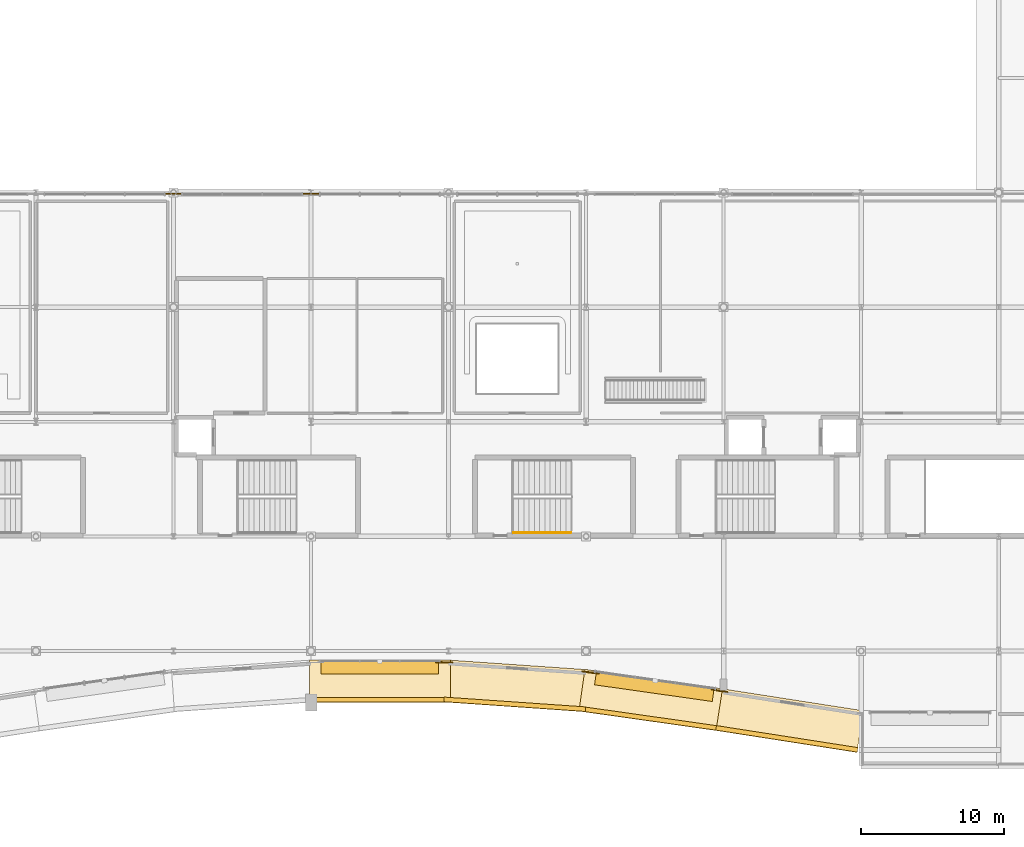
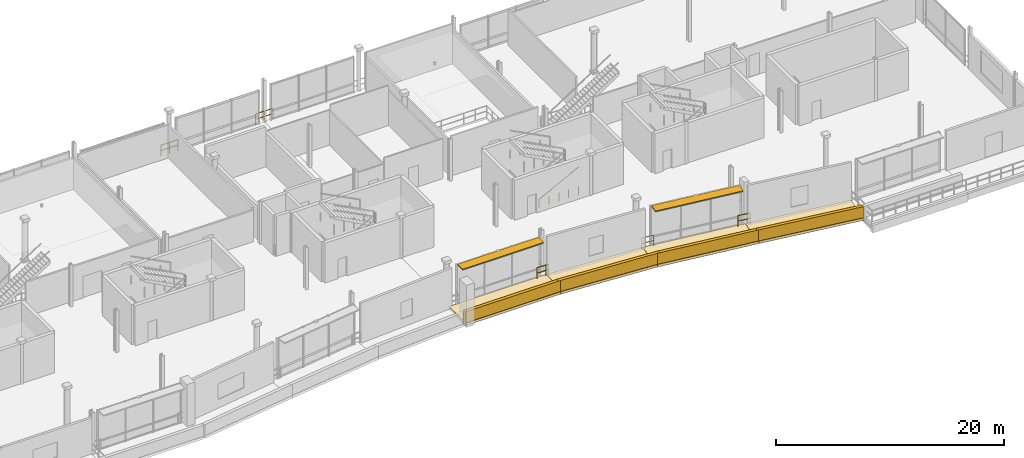
# One storey, part 51 of 59: 8 coverings, 6 railings, 2 shading devices.
"""IFC4 building model written with IfcOpenShell, lengths in metres."""

from ifc_helpers import new_model, si_unit, direction, frame, origin, origin_2d, place, context, subcontext, project, spatial, rectangle, circle, extrude, material, layer, layer_set, type_object, element, save


model = new_model("IFC4")

# Units and contexts
model_context = context("Model", 3, precision=1e-05, world=origin(), true_north=direction((0.0, 1.0)))
body_context = subcontext(model_context, "Body", "Model", "MODEL_VIEW")
ifc_project = project(units=[si_unit("LENGTHUNIT", "METRE"), si_unit("AREAUNIT", "SQUARE_METRE"), si_unit("VOLUMEUNIT", "CUBIC_METRE"), si_unit("PLANEANGLEUNIT", "RADIAN"), si_unit("MASSUNIT", "GRAM", prefix="KILO")], contexts=[model_context])

# Site, building, storey
site_placement = place(None, origin())
site = spatial("IfcSite", under=ifc_project, at=site_placement, CompositionType="ELEMENT")
building_placement = place(site_placement, origin())
building = spatial("IfcBuilding", under=site, at=building_placement, Name="Danafjord Basin Convention Centre", CompositionType="ELEMENT")
storey_placement = place(building_placement, frame((0.0, 0.0, 15.89990234375)))
storey = spatial("IfcBuildingStorey", under=building, at=storey_placement, Name="L03", CompositionType="ELEMENT", Elevation=15.89990234375)

# Coverings
ifc_material_1 = material(Name="Architectural white precast concrete C45/55", Category="concrete")
ifc_layer = layer(ifc_material_1, 0.320068359375)
ifc_layer_set = layer_set([ifc_layer], Name="Architectural white precast concrete C45/55")
covering_type = type_object("IfcCoveringType", Name="COV-BAND-HORIZ", PredefinedType="CLADDING", material=ifc_layer_set)
covering_1_placement = place(storey_placement, frame((62.39990234375, 5.89208984375, -0.27978515625), z_axis=(0.0, 0.0, 1.0), x_axis=(1.0, 0.0, 0.0)))
element("IfcCovering", 1, at=covering_1_placement, inside=storey, type_object=covering_type, Name="L03 stepped horizontal band soffit plate 31", PredefinedType="CLADDING", context=body_context, shape_type="SweptSolid", body=[
    extrude(rectangle(XDim=9.840087890625, YDim=2.949951171875, at=origin_2d()), origin(), (0.0, 0.0, 1.0), 0.280029296875),
])
covering_2_placement = place(storey_placement, frame((62.39990234375, 4.60693359375, -0.23974609375), z_axis=(0.0, 0.0, 1.0), x_axis=(1.0, 0.0, 0.0)))
element("IfcCovering", 2, at=covering_2_placement, inside=storey, type_object=covering_type, Name="L03 layered horizontal white spandrel band 31", PredefinedType="CLADDING", context=body_context, shape_type="SweptSolid", body=[
    extrude(rectangle(XDim=9.8798828125, YDim=0.320068359375, at=origin_2d()), origin(), (0.0, 0.0, 1.0), 1.419921875),
])
covering_3_placement = place(storey_placement, frame((71.915283203125, 5.5625, -0.27978515625), z_axis=(0.0, 0.0, 1.0), x_axis=(0.997609375858, -0.069105232798, 0.0)))
element("IfcCovering", 3, at=covering_3_placement, inside=storey, type_object=covering_type, Name="L03 stepped horizontal band soffit plate 32", PredefinedType="CLADDING", context=body_context, shape_type="SweptSolid", body=[
    extrude(rectangle(XDim=9.863037109375, YDim=2.949951171875, at=origin_2d()), origin(), (0.0, 0.0, 1.0), 0.280029296875),
])
covering_4_placement = place(storey_placement, frame((71.826416015625, 4.280517578125, -0.23974609375), z_axis=(0.0, 0.0, 1.0), x_axis=(0.997609375858, -0.069105232798, 0.0)))
element("IfcCovering", 4, at=covering_4_placement, inside=storey, type_object=covering_type, Name="L03 layered horizontal white spandrel band 32", PredefinedType="CLADDING", context=body_context, shape_type="SweptSolid", body=[
    extrude(rectangle(XDim=9.903076171875, YDim=0.320068359375, at=origin_2d()), origin(), (0.0, 0.0, 1.0), 1.419921875),
])
covering_5_placement = place(storey_placement, frame((81.42822265625, 4.5595703125, -0.27978515625), z_axis=(0.0, 0.0, 1.0), x_axis=(0.990128157327, -0.140165017276, 0.0)))
element("IfcCovering", 5, at=covering_5_placement, inside=storey, type_object=covering_type, Name="L03 stepped horizontal band soffit plate 33", PredefinedType="CLADDING", context=body_context, shape_type="SweptSolid", body=[
    extrude(rectangle(XDim=9.93603515625, YDim=2.949951171875, at=origin_2d()), origin(), (0.0, 0.0, 1.0), 0.280029296875),
])
covering_6_placement = place(storey_placement, frame((81.248291015625, 3.287353515625, -0.23974609375), z_axis=(0.0, 0.0, 1.0), x_axis=(0.990128157327, -0.140165017276, 0.0)))
element("IfcCovering", 6, at=covering_6_placement, inside=storey, type_object=covering_type, Name="L03 layered horizontal white spandrel band 33", PredefinedType="CLADDING", context=body_context, shape_type="SweptSolid", body=[
    extrude(rectangle(XDim=9.97607421875, YDim=0.320068359375, at=origin_2d()), origin(), (0.0, 0.0, 1.0), 1.419921875),
])
covering_7_placement = place(storey_placement, frame((91.01171875, 3.135986328125, -0.27978515625), z_axis=(0.0, 0.0, 1.0), x_axis=(0.988121679372, -0.153673507006, 0.0)))
element("IfcCovering", 7, at=covering_7_placement, inside=storey, type_object=covering_type, Name="L03 stepped horizontal band soffit plate 34", PredefinedType="CLADDING", context=body_context, shape_type="SweptSolid", body=[
    extrude(rectangle(XDim=9.955078125, YDim=2.949951171875, at=origin_2d()), origin(), (0.0, 0.0, 1.0), 0.280029296875),
])
covering_8_placement = place(storey_placement, frame((90.814208984375, 1.8662109375, -0.23974609375), z_axis=(0.0, 0.0, 1.0), x_axis=(0.988121679372, -0.153673507006, 0.0)))
element("IfcCovering", 8, at=covering_8_placement, inside=storey, type_object=covering_type, Name="L03 layered horizontal white spandrel band 34", PredefinedType="CLADDING", context=body_context, shape_type="SweptSolid", body=[
    extrude(rectangle(XDim=9.9951171875, YDim=0.320068359375, at=origin_2d()), origin(), (0.0, 0.0, 1.0), 1.419921875),
])

# Railings
ifc_material_2 = material(Name="Laminated structural glass and stainless steel", Category="steel")
railing_type_1 = type_object("IfcRailingType", Name="RL-BAL-GLS", PredefinedType="BALUSTRADE", material=ifc_material_2)
railing_1_placement = place(storey_placement, frame((47.1201171875, 39.919921875, 0.0)))
element("IfcRailing", 9, at=railing_1_placement, inside=storey, type_object=railing_type_1, Name="L03 safety guard balustrade 241", PredefinedType="BALUSTRADE", context=body_context, shape_type="SweptSolid", body=[
    extrude(circle(Radius=0.02392578125, at=origin_2d()), frame((0.0, 0.0, 1.1259765625), z_axis=(1.0, 0.0, 0.0), x_axis=(0.0, 1.0, 0.0)), (0.0, 0.0, 1.0), 1.759765625),
    extrude(circle(Radius=0.02392578125, at=origin_2d()), frame((0.0, 0.0, 0.55078125), z_axis=(1.0, 0.0, 0.0), x_axis=(0.0, 1.0, 0.0)), (0.0, 0.0, 1.0), 1.759765625),
    extrude(circle(Radius=0.02099609375, at=origin_2d()), origin(), (0.0, 0.0, 1.0), 1.099853515625),
    extrude(circle(Radius=0.02099609375, at=origin_2d()), frame((0.8798828125, 0.0, 0.0)), (0.0, 0.0, 1.0), 1.099853515625),
    extrude(circle(Radius=0.02099609375, at=origin_2d()), frame((1.759765625, 0.0, 0.0)), (0.0, 0.0, 1.0), 1.099853515625),
])
railing_2_placement = place(storey_placement, frame((56.719970703125, 39.919921875, 0.0)))
element("IfcRailing", 10, at=railing_2_placement, inside=storey, type_object=railing_type_1, Name="L03 safety guard balustrade 242", PredefinedType="BALUSTRADE", context=body_context, shape_type="SweptSolid", body=[
    extrude(circle(Radius=0.02392578125, at=origin_2d()), frame((0.0, 0.0, 1.1259765625), z_axis=(1.0, 0.0, 0.0), x_axis=(0.0, 1.0, 0.0)), (0.0, 0.0, 1.0), 1.760009765625),
    extrude(circle(Radius=0.02392578125, at=origin_2d()), frame((0.0, 0.0, 0.55078125), z_axis=(1.0, 0.0, 0.0), x_axis=(0.0, 1.0, 0.0)), (0.0, 0.0, 1.0), 1.760009765625),
    extrude(circle(Radius=0.02099609375, at=origin_2d()), origin(), (0.0, 0.0, 1.0), 1.099853515625),
    extrude(circle(Radius=0.02099609375, at=origin_2d()), frame((0.8798828125, 0.0, 0.0)), (0.0, 0.0, 1.0), 1.099853515625),
    extrude(circle(Radius=0.02099609375, at=origin_2d()), frame((1.760009765625, 0.0, 0.0)), (0.0, 0.0, 1.0), 1.099853515625),
])
railing_3_placement = place(storey_placement, frame((86.68798828125, 5.125, 0.0)))
element("IfcRailing", 11, at=railing_3_placement, inside=storey, type_object=railing_type_1, Name="L03 safety guard balustrade 251", PredefinedType="BALUSTRADE", context=body_context, shape_type="SweptSolid", body=[
    extrude(circle(Radius=0.02392578125, at=origin_2d()), frame((0.0, 0.0, 1.1259765625), z_axis=(-0.98579674647, 0.167942771947, 0.0), x_axis=(-0.167942771947, -0.98579674647, 0.0)), (0.0, 0.0, 1.0), 1.16162109375),
    extrude(circle(Radius=0.02392578125, at=origin_2d()), frame((0.0, 0.0, 0.55078125), z_axis=(-0.98579674647, 0.167942771947, 0.0), x_axis=(-0.167942771947, -0.98579674647, 0.0)), (0.0, 0.0, 1.0), 1.16162109375),
    extrude(circle(Radius=0.02099609375, at=origin_2d()), origin(), (0.0, 0.0, 1.0), 1.099853515625),
    extrude(circle(Radius=0.02099609375, at=origin_2d()), frame((-1.14501953125, 0.195068359375, 0.0)), (0.0, 0.0, 1.0), 1.099853515625),
])
railing_4_placement = place(storey_placement, frame((77.68603515625, 6.431884765625, 0.0)))
element("IfcRailing", 12, at=railing_4_placement, inside=storey, type_object=railing_type_1, Name="L03 safety guard balustrade 252", PredefinedType="BALUSTRADE", context=body_context, shape_type="SweptSolid", body=[
    extrude(circle(Radius=0.02392578125, at=origin_2d()), frame((0.0, 0.0, 1.1259765625), z_axis=(-0.993562916421, 0.113281645087, 0.0), x_axis=(-0.113281645087, -0.993562916421, 0.0)), (0.0, 0.0, 1.0), 0.883544921875),
    extrude(circle(Radius=0.02392578125, at=origin_2d()), frame((0.0, 0.0, 0.55078125), z_axis=(-0.993562916421, 0.113281645087, 0.0), x_axis=(-0.113281645087, -0.993562916421, 0.0)), (0.0, 0.0, 1.0), 0.883544921875),
    extrude(circle(Radius=0.02392578125, at=origin_2d()), frame((-0.8779296875, 0.10009765625, 1.1259765625), z_axis=(-0.995382053883, 0.09599253517, 0.0), x_axis=(-0.09599253517, -0.995382053883, 0.0)), (0.0, 0.0, 1.0), 0.2822265625),
    extrude(circle(Radius=0.02392578125, at=origin_2d()), frame((-0.8779296875, 0.10009765625, 0.55078125), z_axis=(-0.995382053883, 0.09599253517, 0.0), x_axis=(-0.09599253517, -0.995382053883, 0.0)), (0.0, 0.0, 1.0), 0.2822265625),
    extrude(circle(Radius=0.02099609375, at=origin_2d()), origin(), (0.0, 0.0, 1.0), 1.099853515625),
    extrude(circle(Radius=0.02099609375, at=origin_2d()), frame((-0.8779296875, 0.10009765625, 0.0)), (0.0, 0.0, 1.0), 1.099853515625),
    extrude(circle(Radius=0.02099609375, at=origin_2d()), frame((-1.158935546875, 0.127197265625, 0.0)), (0.0, 0.0, 1.0), 1.099853515625),
])
railing_5_placement = place(storey_placement, frame((67.485107421875, 7.18505859375, 0.0)))
element("IfcRailing", 13, at=railing_5_placement, inside=storey, type_object=railing_type_1, Name="L03 safety guard balustrade 253", PredefinedType="BALUSTRADE", context=body_context, shape_type="SweptSolid", body=[
    extrude(circle(Radius=0.02392578125, at=origin_2d()), frame((0.0, 0.0, 1.1259765625), z_axis=(-0.999102856833, 0.042349515558, 0.0), x_axis=(-0.042349515558, -0.999102856833, 0.0)), (0.0, 0.0, 1.0), 0.282470703125),
    extrude(circle(Radius=0.02392578125, at=origin_2d()), frame((0.0, 0.0, 0.55078125), z_axis=(-0.999102856833, 0.042349515558, 0.0), x_axis=(-0.042349515558, -0.999102856833, 0.0)), (0.0, 0.0, 1.0), 0.282470703125),
    extrude(circle(Radius=0.02392578125, at=origin_2d()), frame((-0.2822265625, 0.011962890625, 1.1259765625), z_axis=(-0.999662286187, 0.025986796156, 0.0), x_axis=(-0.025986796156, -0.999662286187, 0.0)), (0.0, 0.0, 1.0), 0.883056640625),
    extrude(circle(Radius=0.02392578125, at=origin_2d()), frame((-0.2822265625, 0.011962890625, 0.55078125), z_axis=(-0.999662286187, 0.025986796156, 0.0), x_axis=(-0.025986796156, -0.999662286187, 0.0)), (0.0, 0.0, 1.0), 0.883056640625),
    extrude(circle(Radius=0.02099609375, at=origin_2d()), origin(), (0.0, 0.0, 1.0), 1.099853515625),
    extrude(circle(Radius=0.02099609375, at=origin_2d()), frame((-0.2822265625, 0.011962890625, 0.0)), (0.0, 0.0, 1.0), 1.099853515625),
    extrude(circle(Radius=0.02099609375, at=origin_2d()), frame((-1.1650390625, 0.034912109375, 0.0)), (0.0, 0.0, 1.0), 1.099853515625),
])
ifc_material_3 = material(Name="Brushed stainless steel EN 1.4404", Category="steel")
railing_type_2 = type_object("IfcRailingType", Name="RL-HR-STAIR", PredefinedType="HANDRAIL", material=ifc_material_3)
railing_6_placement = place(storey_placement, frame((71.72998046875, 16.260009765625, 0.1875)))
element("IfcRailing", 14, at=railing_6_placement, inside=storey, type_object=railing_type_2, Name="L03 ST-06 stair handrail 1", PredefinedType="HANDRAIL", context=body_context, shape_type="SweptSolid", body=[
    extrude(circle(Radius=0.02392578125, at=origin_2d()), frame((0.0, 0.0, 0.8759765625), z_axis=(0.889506420944, 0.0, 0.45692267081), x_axis=(0.0, 1.0, 0.0)), (0.0, 0.0, 1.0), 4.513916015625),
    extrude(circle(Radius=0.02099609375, at=origin_2d()), origin(), (0.0, 0.0, 1.0), 0.849853515625),
    extrude(circle(Radius=0.02099609375, at=origin_2d()), frame((1.00390625, 0.0, 0.0)), (0.0, 0.0, 1.0), 0.849853515625),
    extrude(circle(Radius=0.02099609375, at=origin_2d()), frame((2.007568359375, 0.0, 0.0)), (0.0, 0.0, 1.0), 0.849853515625),
    extrude(circle(Radius=0.02099609375, at=origin_2d()), frame((3.01123046875, 0.0, 0.0)), (0.0, 0.0, 1.0), 0.849853515625),
    extrude(circle(Radius=0.02099609375, at=origin_2d()), frame((4.01513671875, 0.0, 0.0)), (0.0, 0.0, 1.0), 0.849853515625),
])

# Shading devices
ifc_material_4 = material(Name="Anodised aluminium aerofoil sunshade", Category="aluminium")
shading_device_type = type_object("IfcShadingDeviceType", Name="SHD-SUN-A", PredefinedType="USERDEFINED", material=ifc_material_4)
shading_device_1_placement = place(storey_placement, frame((62.39990234375, 6.840087890625, 4.154052734375), z_axis=(0.0, 0.0, 1.0), x_axis=(1.0, 0.0, 0.0)))
element("IfcShadingDevice", 15, at=shading_device_1_placement, inside=storey, type_object=shading_device_type, Name="L03 cantilevered harbour sunshade 12", ObjectType="SUNSHADE", PredefinedType="USERDEFINED", context=body_context, shape_type="SweptSolid", body=[
    extrude(rectangle(XDim=8.199951171875, YDim=0.89990234375, at=origin_2d()), origin(), (0.0, 0.0, 1.0), 0.1201171875),
])
shading_device_2_placement = place(storey_placement, frame((81.56201171875, 5.503662109375, 4.154052734375), z_axis=(0.0, 0.0, 1.0), x_axis=(0.990128157327, -0.140165017276, 0.0)))
element("IfcShadingDevice", 16, at=shading_device_2_placement, inside=storey, type_object=shading_device_type, Name="L03 cantilevered harbour sunshade 13", ObjectType="SUNSHADE", PredefinedType="USERDEFINED", context=body_context, shape_type="SweptSolid", body=[
    extrude(rectangle(XDim=8.295654296875, YDim=0.89990234375, at=origin_2d()), origin(), (0.0, 0.0, 1.0), 0.1201171875),
])

save(model, "model.ifc")
